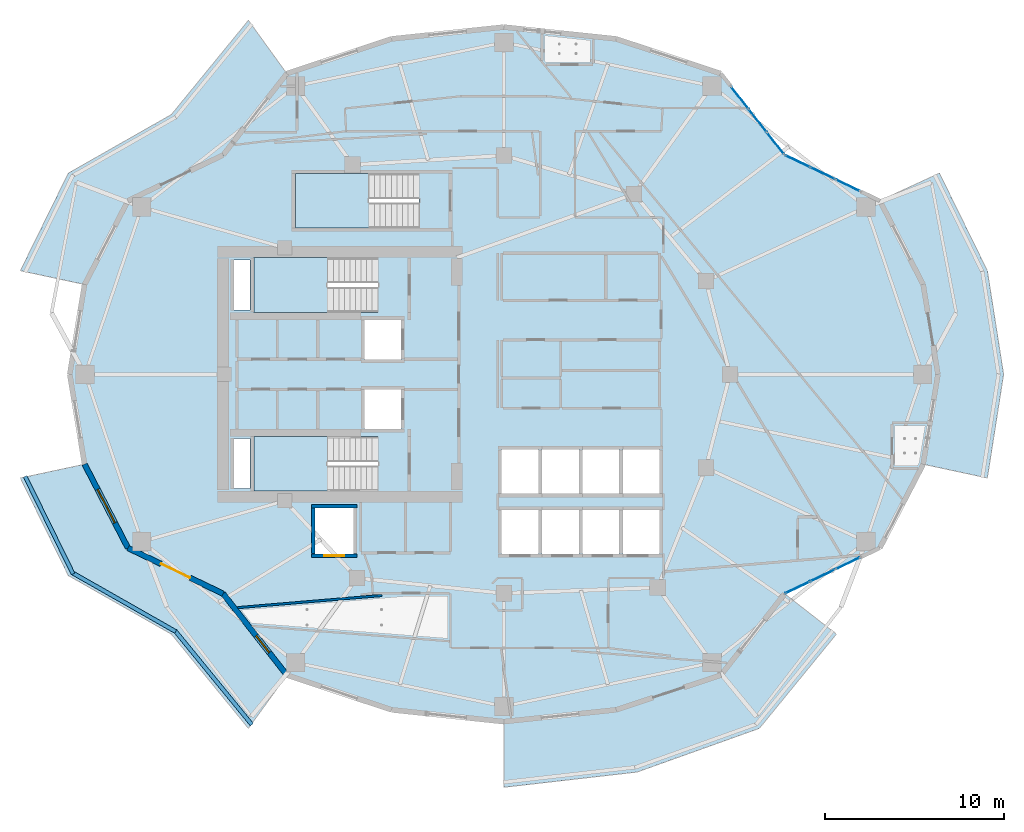
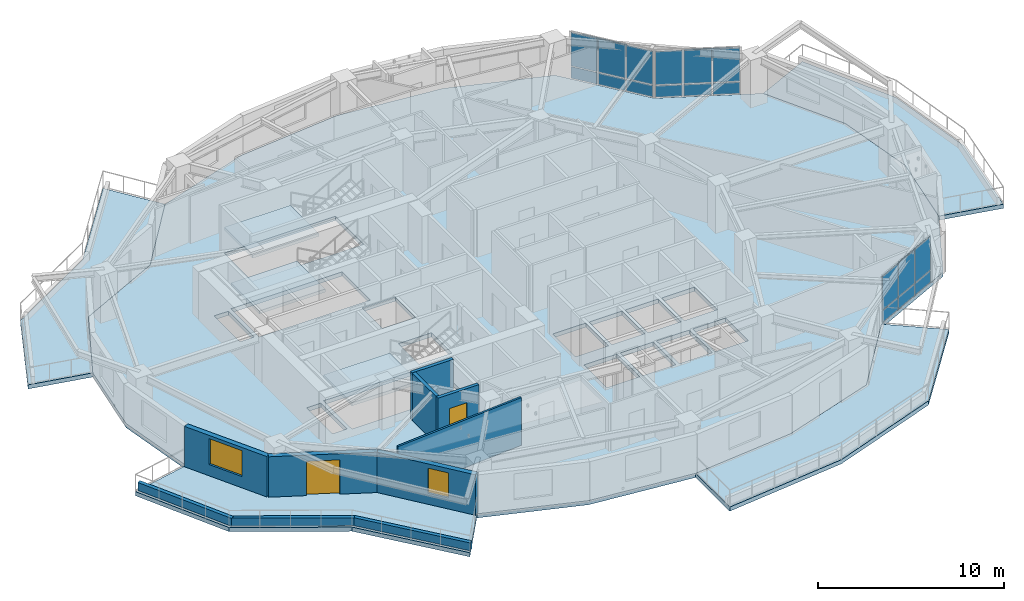
# One storey, part 5 of 18: 21 plates, 10 walls, 8 slabs, 2 doors, 2 windows, 4 openings, 6 elements without a shape of their own.
"""IFC4 building model written with IfcOpenShell, lengths in metres."""

import ifcopenshell
import ifcopenshell.guid

model = None  # the IFC model being written
_history = None  # IfcOwnerHistory: only IFC2X3 demands one
_inside = {}  # id of a spatial element -> (the spatial element, [elements in it])
_under = {}  # id of a project, library or spatial element -> (it, [spatial elements below it])
_declared = {}  # id of a project -> (the project, [libraries it declares])
_typed = {}  # id of a type object -> (the type object, [elements of that type])
_made_of = {}  # id of a material, layer set ... -> (it, [elements and type objects made of it])


def new_model(schema):
    """Start an empty IFC model of exactly this schema.

    Asked for "IFC4X3", IfcOpenShell would pick the latest addendum, in which some entities
    have other attributes; the version numbers below select the first issue.
    IFC2X3 requires an IfcOwnerHistory on every rooted entity: one is made here for all.
    """
    global model, _history
    if schema == "IFC4X3":
        model = ifcopenshell.file(schema_version=(4, 3, 0, 0))
    else:
        model = ifcopenshell.file(schema=schema)
    _inside.clear()
    _under.clear()
    _declared.clear()
    _typed.clear()
    _made_of.clear()
    _history = None
    if model.schema == "IFC2X3":
        org = make("IfcOrganization", Name="unknown")
        user = make(
            "IfcPersonAndOrganization",
            ThePerson=make("IfcPerson", FamilyName="unknown"),
            TheOrganization=org,
        )
        app = make(
            "IfcApplication",
            ApplicationDeveloper=org,
            Version="unknown",
            ApplicationFullName="unknown",
            ApplicationIdentifier="unknown",
        )
        _history = make(
            "IfcOwnerHistory",
            OwningUser=user,
            OwningApplication=app,
            ChangeAction="ADDED",
            CreationDate=0,
        )
    return model


def make(cls, **values):
    """One entity of the class cls with the attributes given. An attribute that is None is left unset."""
    return model.create_entity(
        cls, **{name: value for name, value in values.items() if value is not None}
    )


def rooted(cls, **values):
    """An entity with a GlobalId (a new one), such as an element, a storey or a relation."""
    return make(cls, GlobalId=ifcopenshell.guid.new(), OwnerHistory=_history, **values)


def si_unit(unit_type, name, prefix=None):
    """IfcSIUnit, for example si_unit("LENGTHUNIT", "METRE", prefix="MILLI")."""
    return make("IfcSIUnit", UnitType=unit_type, Prefix=prefix, Name=name)


def assignment(units):
    """IfcUnitAssignment: the units of a project."""
    return None if units is None else make("IfcUnitAssignment", Units=units)


def point(xyz):
    """IfcCartesianPoint."""
    return None if xyz is None else make("IfcCartesianPoint", Coordinates=xyz)


def direction(xyz):
    """IfcDirection."""
    return None if xyz is None else make("IfcDirection", DirectionRatios=xyz)


def frame(location, z_axis=None, x_axis=None):
    """IfcAxis2Placement3D, a coordinate frame: its origin and axes. An axis left out is left unset."""
    return make(
        "IfcAxis2Placement3D",
        Location=point(location),
        Axis=direction(z_axis),
        RefDirection=direction(x_axis),
    )


def frame_2d(location, x_axis=None):
    """IfcAxis2Placement2D, a coordinate frame in the plane: its origin and x axis."""
    return make(
        "IfcAxis2Placement2D", Location=point(location), RefDirection=direction(x_axis)
    )


def origin():
    """The frame at (0, 0, 0) with its axes left unset."""
    return frame((0.0, 0.0, 0.0))


def origin_2d():
    """The frame at (0, 0) in the plane with its x axis left unset."""
    return frame_2d((0.0, 0.0))


def place(relative_to, where):
    """IfcLocalPlacement: puts the frame where relative to a parent placement (None: the world)."""
    return make(
        "IfcLocalPlacement", PlacementRelTo=relative_to, RelativePlacement=where
    )


def context(
    kind, dimensions, precision=None, world=None, true_north=None, identifier=None
):
    """IfcGeometricRepresentationContext, for example the 3D "Model" context."""
    return make(
        "IfcGeometricRepresentationContext",
        ContextIdentifier=identifier,
        ContextType=kind,
        CoordinateSpaceDimension=dimensions,
        Precision=precision,
        WorldCoordinateSystem=world,
        TrueNorth=true_north,
    )


def subcontext(parent, identifier, kind, view, scale=None):
    """IfcGeometricRepresentationSubContext, for example "Body" below "Model"."""
    return make(
        "IfcGeometricRepresentationSubContext",
        ContextIdentifier=identifier,
        ContextType=kind,
        ParentContext=parent,
        TargetScale=scale,
        TargetView=view,
    )


def project(units=None, contexts=None):
    """IfcProject with its units and contexts."""
    return rooted(
        "IfcProject",
        Name="project",
        RepresentationContexts=contexts,
        UnitsInContext=assignment(units),
    )


def spatial(cls, under=None, at=None, **own):
    """A site, building, storey or space (cls), placed at a placement, below another one or the project."""
    s = rooted(cls, ObjectPlacement=at, **own)
    if under is not None:
        _under.setdefault(under.id(), (under, []))[1].append(s)
    return s


def polyline(points):
    """IfcPolyline through the points."""
    return make("IfcPolyline", Points=[point(p) for p in points])


def profile(cls, at=None, kind="AREA", **sizes):
    """A parametric profile (cls). Its sizes go by their IFC names, for example OverallWidth=200.0."""
    return make(cls, ProfileType=kind, Position=at, **sizes)


def rectangle(**sizes):
    """IfcRectangleProfileDef."""
    return profile("IfcRectangleProfileDef", **sizes)


def outline(outer, holes=None, kind="AREA"):
    """IfcArbitraryClosedProfileDef: a profile drawn as a closed curve; with holes, ...WithVoids."""
    if holes is None:
        return make("IfcArbitraryClosedProfileDef", ProfileType=kind, OuterCurve=outer)
    return make(
        "IfcArbitraryProfileDefWithVoids",
        ProfileType=kind,
        OuterCurve=outer,
        InnerCurves=holes,
    )


def extrude(swept, where, along, depth):
    """IfcExtrudedAreaSolid: the profile swept, set in the frame where, extruded along a direction by depth."""
    return make(
        "IfcExtrudedAreaSolid",
        SweptArea=swept,
        Position=where,
        ExtrudedDirection=direction(along),
        Depth=depth,
    )


def shape(context_of_items, identifier, shape_type, items):
    """IfcShapeRepresentation: the items that make up one representation, for example the "Body"."""
    return make(
        "IfcShapeRepresentation",
        ContextOfItems=context_of_items,
        RepresentationIdentifier=identifier,
        RepresentationType=shape_type,
        Items=items,
    )


def material(Name=None, Category=None):
    """IfcMaterial."""
    return make("IfcMaterial", Name=Name, Category=Category)


def layer(
    of_material, thickness, ventilated=None, Name=None, Category=None, Priority=None
):
    """IfcMaterialLayer: one layer of a wall or slab, of a material (None: an air gap)."""
    return make(
        "IfcMaterialLayer",
        Material=of_material,
        LayerThickness=thickness,
        IsVentilated=ventilated,
        Name=Name,
        Category=Category,
        Priority=Priority,
    )


def layer_set(layers, Name=None):
    """IfcMaterialLayerSet."""
    return make("IfcMaterialLayerSet", MaterialLayers=layers, LayerSetName=Name)


def made_of(thing, what):
    """Note that an element or type object is made of a material, layer set ...; save() writes the relation."""
    if what is not None:
        _made_of.setdefault(what.id(), (what, []))[1].append(thing)
    return thing


def type_object(cls, material=None, **own):
    """A type object (cls), such as IfcWallType, which elements share."""
    return made_of(rooted(cls, **own), material)


def element(
    cls,
    number,
    at=None,
    inside=None,
    cuts=None,
    type_object=None,
    material=None,
    context=None,
    identifier="Body",
    shape_type=None,
    held_by="IfcProductDefinitionShape",
    body=None,
    shapes=None,
    **own,
):
    """One element of the class cls, such as IfcWall. Its Tag is "e" and its number.

    at: its placement. inside: the storey or other place that contains it. cuts: it is an
    opening in that element (IfcRelVoidsElement). A single representation is given by context,
    identifier, shape_type and body (its items); several are given by shapes. held_by: the class
    of the entity that holds the representations. save() writes the other relations.
    """
    e = rooted(cls, Tag="e%d" % number, ObjectPlacement=at, **own)
    if body is not None:
        shapes = [shape(context, identifier, shape_type, body)]
    if shapes is not None:
        e.Representation = make(held_by, Representations=shapes)
    if inside is not None:
        _inside.setdefault(inside.id(), (inside, []))[1].append(e)
    if cuts is not None:
        rooted(
            "IfcRelVoidsElement", RelatingBuildingElement=cuts, RelatedOpeningElement=e
        )
    if type_object is not None:
        _typed.setdefault(type_object.id(), (type_object, []))[1].append(e)
    return made_of(e, material)


def fill(opening, filler):
    """IfcRelFillsElement: the door or window that sits in an opening."""
    return rooted(
        "IfcRelFillsElement",
        RelatingOpeningElement=opening,
        RelatedBuildingElement=filler,
    )


def aggregate(whole, parts):
    """IfcRelAggregates: a whole, such as a stair, and the parts it consists of."""
    return rooted("IfcRelAggregates", RelatingObject=whole, RelatedObjects=parts)


def save(model, path):
    """Write the relations noted so far, then the file.

    IfcRelAggregates (storeys below a building ...), IfcRelContainedInSpatialStructure (elements
    in a storey), IfcRelDefinesByType, IfcRelAssociatesMaterial and IfcRelDeclares: one each for
    every whole, place, type object, material and project.
    """
    for whole, parts in _under.values():
        aggregate(whole, parts)
    for where, things in _inside.values():
        rooted(
            "IfcRelContainedInSpatialStructure",
            RelatedElements=things,
            RelatingStructure=where,
        )
    for kind, things in _typed.values():
        rooted("IfcRelDefinesByType", RelatedObjects=things, RelatingType=kind)
    for what, things in _made_of.values():
        rooted("IfcRelAssociatesMaterial", RelatedObjects=things, RelatingMaterial=what)
    for by, libraries in _declared.values():
        rooted("IfcRelDeclares", RelatingContext=by, RelatedDefinitions=libraries)
    model.write(path)


model = new_model("IFC4")

# Units and contexts
model_context = context("Model", 3, precision=1e-05, world=origin(), true_north=direction((0.0, 1.0)))
body_context = subcontext(model_context, "Body", "Model", "MODEL_VIEW")
ifc_project = project(units=[si_unit("LENGTHUNIT", "METRE"), si_unit("AREAUNIT", "SQUARE_METRE"), si_unit("VOLUMEUNIT", "CUBIC_METRE"), si_unit("PLANEANGLEUNIT", "RADIAN"), si_unit("MASSUNIT", "GRAM", prefix="KILO")], contexts=[model_context])

# Site, building, storey
site_placement = place(None, origin())
site = spatial("IfcSite", under=ifc_project, at=site_placement, CompositionType="ELEMENT")
building_placement = place(site_placement, origin())
building = spatial("IfcBuilding", under=site, at=building_placement, Name="Kolvaren Gate Tower and Convention Centre", CompositionType="ELEMENT")
storey_placement = place(building_placement, frame((0.0, 0.0, 135.89990234375)))
storey = spatial("IfcBuildingStorey", under=building, at=storey_placement, Name="L34", CompositionType="ELEMENT", Elevation=135.89990234375)

# Plates
ifc_material_1 = material(Name="Perforated Anodized Bronze Aluminium Sheet 6 mm", Category="aluminium")
ifc_layer_1 = layer(ifc_material_1, 0.011962890625)
ifc_layer_set_1 = layer_set([ifc_layer_1], Name="Perforated Anodized Bronze Aluminium Sheet 6 mm")
plate_type_1 = type_object("IfcPlateType", Name="ARCH-PL-SCREEN-PERF", PredefinedType="SHEET", material=ifc_layer_set_1)
for number, where, z_axis, x_axis, name in (
    (1, (48.42041015625, 37.948974609375, 2.2900390625), (0.0, 0.0, 1.0), (0.901362925045, -0.433064518696, 0.0), "Tower L34 Perforated Bronze Solar Screen SS-02"),
    (2, (43.993896484375, 41.490234375, 2.2900390625), (0.0, 0.0, 1.0), (0.616424499081, -0.787414018756, 0.0), "Tower L34 Perforated Bronze Solar Screen SS-03"),
    (3, (48.42041015625, 16.051025390625, 2.2900390625), (0.0, 0.0, 1.0), (0.901362925045, 0.433064518696, 0.0), "Tower L34 Perforated Bronze Solar Screen SS-21"),
):
    element("IfcPlate", number, at=place(storey_placement, frame(where, z_axis=z_axis, x_axis=x_axis)), inside=storey, type_object=plate_type_1, Name=name, PredefinedType="SHEET", context=body_context, shape_type="SweptSolid", body=[
        extrude(rectangle(XDim=2.60009765625, YDim=0.011962890625, at=origin_2d()), origin(), (0.0, 0.0, 1.0), 0.840087890625),
    ])

# Curtain wall, plates
ifc_material_2 = material(Name="Anodized Architectural Aluminium Alloy 6063-T6", Category="aluminium")
ifc_layer_2 = layer(ifc_material_2, 0.159912109375)
ifc_layer_set_2 = layer_set([ifc_layer_2], Name="Anodized Architectural Aluminium Alloy 6063-T6")
curtain_wall_type = type_object("IfcCurtainWallType", Name="CW-HTL-UNIT", PredefinedType="NOTDEFINED", material=ifc_layer_set_2)
curtain_wall_1_placement = place(storey_placement, origin())
curtain_wall_1 = element("IfcCurtainWall", 4, at=curtain_wall_1_placement, inside=storey, type_object=curtain_wall_type, Name="Tower L34 Unitised Curtain Wall CW-HTL-UNIT Bay 02", PredefinedType="NOTDEFINED")
ifc_material_3 = material(Name="Low-E Triple Insulated Glazing Unit 44 mm", Category="glass")
ifc_layer_3 = layer(ifc_material_3, 0.0439453125)
ifc_layer_set_3 = layer_set([ifc_layer_3], Name="Low-E Triple Insulated Glazing Unit 44 mm")
plate_type_2 = type_object("IfcPlateType", Name="CW-PL-IGU-44", PredefinedType="CURTAIN_PANEL", material=ifc_layer_set_3)
plate_1_placement = place(storey_placement, frame((46.48974609375, 38.87646484375, 0.882568359375), z_axis=(0.0, 0.0, 1.0), x_axis=(0.901360043967, -0.433070515205, 0.0)))
plate_1 = element("IfcPlate", 5, at=plate_1_placement, type_object=plate_type_2, Name="CW-03 panel 1.2", PredefinedType="CURTAIN_PANEL", context=body_context, shape_type="SweptSolid", body=[
    extrude(rectangle(XDim=1.4697265625, YDim=0.0439453125, at=origin_2d()), origin(), (0.0, 0.0, 1.0), 2.1826171875),
])
plate_2_placement = place(storey_placement, frame((47.8876953125, 38.204833984375, 0.882568359375), z_axis=(0.0, 0.0, 1.0), x_axis=(0.901360043967, -0.433070515205, 0.0)))
plate_2 = element("IfcPlate", 6, at=plate_2_placement, type_object=plate_type_2, Name="CW-03 panel 2.2", PredefinedType="CURTAIN_PANEL", context=body_context, shape_type="SweptSolid", body=[
    extrude(rectangle(XDim=1.50244140625, YDim=0.0439453125, at=origin_2d()), origin(), (0.0, 0.0, 1.0), 2.1826171875),
])
plate_3_placement = place(storey_placement, frame((49.285888671875, 37.533203125, 0.882568359375), z_axis=(0.0, 0.0, 1.0), x_axis=(0.901360043967, -0.433070515205, 0.0)))
plate_3 = element("IfcPlate", 7, at=plate_3_placement, type_object=plate_type_2, Name="CW-03 panel 3.2", PredefinedType="CURTAIN_PANEL", context=body_context, shape_type="SweptSolid", body=[
    extrude(rectangle(XDim=1.4697265625, YDim=0.0439453125, at=origin_2d()), origin(), (0.0, 0.0, 1.0), 2.1826171875),
])

curtain_wall_2_placement = place(storey_placement, origin())
curtain_wall_2 = element("IfcCurtainWall", 8, at=curtain_wall_2_placement, inside=storey, type_object=curtain_wall_type, Name="Tower L34 Unitised Curtain Wall CW-HTL-UNIT Bay 03", PredefinedType="NOTDEFINED")
plate_4_placement = place(storey_placement, frame((43.2705078125, 42.414306640625, 0.882568359375), z_axis=(0.0, 0.0, 1.0), x_axis=(0.616425876414, -0.787412940513, 0.0)))
plate_4 = element("IfcPlate", 9, at=plate_4_placement, type_object=plate_type_2, Name="CW-03 panel 1.2", PredefinedType="CURTAIN_PANEL", context=body_context, shape_type="SweptSolid", body=[
    extrude(rectangle(XDim=1.530029296875, YDim=0.0439453125, at=origin_2d()), origin(), (0.0, 0.0, 1.0), 2.1826171875),
])
plate_5_placement = place(storey_placement, frame((44.263671875, 41.1455078125, 0.882568359375), z_axis=(0.0, 0.0, 1.0), x_axis=(0.616425876414, -0.787412940513, 0.0)))
plate_5 = element("IfcPlate", 10, at=plate_5_placement, type_object=plate_type_2, Name="CW-03 panel 2.2", PredefinedType="CURTAIN_PANEL", context=body_context, shape_type="SweptSolid", body=[
    extrude(rectangle(XDim=1.5625, YDim=0.0439453125, at=origin_2d()), origin(), (0.0, 0.0, 1.0), 2.1826171875),
])
plate_6_placement = place(storey_placement, frame((45.257080078125, 39.876708984375, 0.882568359375), z_axis=(0.0, 0.0, 1.0), x_axis=(0.616425876414, -0.787412940513, 0.0)))
plate_6 = element("IfcPlate", 11, at=plate_6_placement, type_object=plate_type_2, Name="CW-03 panel 3.2", PredefinedType="CURTAIN_PANEL", context=body_context, shape_type="SweptSolid", body=[
    extrude(rectangle(XDim=1.530029296875, YDim=0.0439453125, at=origin_2d()), origin(), (0.0, 0.0, 1.0), 2.1826171875),
])

curtain_wall_3_placement = place(storey_placement, origin())
curtain_wall_3 = element("IfcCurtainWall", 12, at=curtain_wall_3_placement, inside=storey, type_object=curtain_wall_type, Name="Tower L34 Unitised Curtain Wall CW-HTL-UNIT Bay 21", PredefinedType="NOTDEFINED")
plate_7_placement = place(storey_placement, frame((46.48974609375, 15.12353515625, 0.882568359375), z_axis=(0.0, 0.0, 1.0), x_axis=(0.901360043967, 0.433070515205, 0.0)))
plate_7 = element("IfcPlate", 13, at=plate_7_placement, type_object=plate_type_2, Name="CW-03 panel 1.2", PredefinedType="CURTAIN_PANEL", context=body_context, shape_type="SweptSolid", body=[
    extrude(rectangle(XDim=1.4697265625, YDim=0.0439453125, at=origin_2d()), origin(), (0.0, 0.0, 1.0), 2.1826171875),
])
plate_8_placement = place(storey_placement, frame((47.8876953125, 15.795166015625, 0.882568359375), z_axis=(0.0, 0.0, 1.0), x_axis=(0.901360043967, 0.433070515205, 0.0)))
plate_8 = element("IfcPlate", 14, at=plate_8_placement, type_object=plate_type_2, Name="CW-03 panel 2.2", PredefinedType="CURTAIN_PANEL", context=body_context, shape_type="SweptSolid", body=[
    extrude(rectangle(XDim=1.50244140625, YDim=0.0439453125, at=origin_2d()), origin(), (0.0, 0.0, 1.0), 2.1826171875),
])
plate_9_placement = place(storey_placement, frame((49.285888671875, 16.466796875, 0.882568359375), z_axis=(0.0, 0.0, 1.0), x_axis=(0.901360043967, 0.433070515205, 0.0)))
plate_9 = element("IfcPlate", 15, at=plate_9_placement, type_object=plate_type_2, Name="CW-03 panel 3.2", PredefinedType="CURTAIN_PANEL", context=body_context, shape_type="SweptSolid", body=[
    extrude(rectangle(XDim=1.4697265625, YDim=0.0439453125, at=origin_2d()), origin(), (0.0, 0.0, 1.0), 2.1826171875),
])

# Plate
ifc_material_4 = material(Name="Solar-Control Laminated Curtain Glazing 36 mm", Category="glass")
ifc_layer_4 = layer(ifc_material_4, 0.035888671875)
ifc_layer_set_4 = layer_set([ifc_layer_4], Name="Solar-Control Laminated Curtain Glazing 36 mm")
plate_type_3 = type_object("IfcPlateType", Name="CW-PL-SPAN-36", PredefinedType="CURTAIN_PANEL", material=ifc_layer_set_4)
plate_10_placement = place(storey_placement, frame((46.48974609375, 38.87646484375, 0.065185546875), z_axis=(0.0, 0.0, 1.0), x_axis=(0.901360043967, -0.433070515205, 0.0)))
plate_10 = element("IfcPlate", 16, at=plate_10_placement, type_object=plate_type_3, Name="CW-03 panel 1.1", PredefinedType="CURTAIN_PANEL", context=body_context, shape_type="SweptSolid", body=[
    extrude(rectangle(XDim=1.4697265625, YDim=0.035888671875, at=origin_2d()), origin(), (0.0, 0.0, 1.0), 0.75244140625),
])

plate_11_placement = place(storey_placement, frame((47.8876953125, 38.204833984375, 0.065185546875), z_axis=(0.0, 0.0, 1.0), x_axis=(0.901360043967, -0.433070515205, 0.0)))
plate_11 = element("IfcPlate", 17, at=plate_11_placement, type_object=plate_type_3, Name="CW-03 panel 2.1", PredefinedType="CURTAIN_PANEL", context=body_context, shape_type="SweptSolid", body=[
    extrude(rectangle(XDim=1.50244140625, YDim=0.035888671875, at=origin_2d()), origin(), (0.0, 0.0, 1.0), 0.75244140625),
])

plate_12_placement = place(storey_placement, frame((49.285888671875, 37.533203125, 0.065185546875), z_axis=(0.0, 0.0, 1.0), x_axis=(0.901360043967, -0.433070515205, 0.0)))
plate_12 = element("IfcPlate", 18, at=plate_12_placement, type_object=plate_type_3, Name="CW-03 panel 3.1", PredefinedType="CURTAIN_PANEL", context=body_context, shape_type="SweptSolid", body=[
    extrude(rectangle(XDim=1.4697265625, YDim=0.035888671875, at=origin_2d()), origin(), (0.0, 0.0, 1.0), 0.75244140625),
])

aggregate(curtain_wall_1, [plate_10, plate_1, plate_11, plate_2, plate_12, plate_3])

plate_13_placement = place(storey_placement, frame((43.2705078125, 42.414306640625, 0.065185546875), z_axis=(0.0, 0.0, 1.0), x_axis=(0.616425876414, -0.787412940513, 0.0)))
plate_13 = element("IfcPlate", 19, at=plate_13_placement, type_object=plate_type_3, Name="CW-03 panel 1.1", PredefinedType="CURTAIN_PANEL", context=body_context, shape_type="SweptSolid", body=[
    extrude(rectangle(XDim=1.530029296875, YDim=0.035888671875, at=origin_2d()), origin(), (0.0, 0.0, 1.0), 0.75244140625),
])

plate_14_placement = place(storey_placement, frame((44.263671875, 41.1455078125, 0.065185546875), z_axis=(0.0, 0.0, 1.0), x_axis=(0.616425876414, -0.787412940513, 0.0)))
plate_14 = element("IfcPlate", 20, at=plate_14_placement, type_object=plate_type_3, Name="CW-03 panel 2.1", PredefinedType="CURTAIN_PANEL", context=body_context, shape_type="SweptSolid", body=[
    extrude(rectangle(XDim=1.5625, YDim=0.035888671875, at=origin_2d()), origin(), (0.0, 0.0, 1.0), 0.75244140625),
])

plate_15_placement = place(storey_placement, frame((45.257080078125, 39.876708984375, 0.065185546875), z_axis=(0.0, 0.0, 1.0), x_axis=(0.616425876414, -0.787412940513, 0.0)))
plate_15 = element("IfcPlate", 21, at=plate_15_placement, type_object=plate_type_3, Name="CW-03 panel 3.1", PredefinedType="CURTAIN_PANEL", context=body_context, shape_type="SweptSolid", body=[
    extrude(rectangle(XDim=1.530029296875, YDim=0.035888671875, at=origin_2d()), origin(), (0.0, 0.0, 1.0), 0.75244140625),
])

aggregate(curtain_wall_2, [plate_13, plate_4, plate_14, plate_5, plate_15, plate_6])

plate_16_placement = place(storey_placement, frame((46.48974609375, 15.12353515625, 0.065185546875), z_axis=(0.0, 0.0, 1.0), x_axis=(0.901360043967, 0.433070515205, 0.0)))
plate_16 = element("IfcPlate", 22, at=plate_16_placement, type_object=plate_type_3, Name="CW-03 panel 1.1", PredefinedType="CURTAIN_PANEL", context=body_context, shape_type="SweptSolid", body=[
    extrude(rectangle(XDim=1.4697265625, YDim=0.035888671875, at=origin_2d()), origin(), (0.0, 0.0, 1.0), 0.75244140625),
])

plate_17_placement = place(storey_placement, frame((47.8876953125, 15.795166015625, 0.065185546875), z_axis=(0.0, 0.0, 1.0), x_axis=(0.901360043967, 0.433070515205, 0.0)))
plate_17 = element("IfcPlate", 23, at=plate_17_placement, type_object=plate_type_3, Name="CW-03 panel 2.1", PredefinedType="CURTAIN_PANEL", context=body_context, shape_type="SweptSolid", body=[
    extrude(rectangle(XDim=1.50244140625, YDim=0.035888671875, at=origin_2d()), origin(), (0.0, 0.0, 1.0), 0.75244140625),
])

plate_18_placement = place(storey_placement, frame((49.285888671875, 16.466796875, 0.065185546875), z_axis=(0.0, 0.0, 1.0), x_axis=(0.901360043967, 0.433070515205, 0.0)))
plate_18 = element("IfcPlate", 24, at=plate_18_placement, type_object=plate_type_3, Name="CW-03 panel 3.1", PredefinedType="CURTAIN_PANEL", context=body_context, shape_type="SweptSolid", body=[
    extrude(rectangle(XDim=1.4697265625, YDim=0.035888671875, at=origin_2d()), origin(), (0.0, 0.0, 1.0), 0.75244140625),
])

aggregate(curtain_wall_3, [plate_16, plate_7, plate_17, plate_8, plate_18, plate_9])

# Slabs
ifc_material_5 = material(Name="Concrete C50/60", Category="concrete")
ifc_layer_5 = layer(ifc_material_5, 0.27001953125)
ifc_layer_set_5 = layer_set([ifc_layer_5], Name="Concrete C50/60")
slab_type_1 = type_object("IfcSlabType", Name="STR-SL-BALC-270", PredefinedType="FLOOR", material=ifc_layer_set_5)
slab_1_placement = place(storey_placement, frame((0.0, 0.0, -0.27001953125)))
element("IfcSlab", 25, at=slab_1_placement, inside=storey, type_object=slab_type_1, Name="Tower L34 Planted Balcony Terrace Slab 1 (West)", PredefinedType="FLOOR", context=body_context, shape_type="SweptSolid", body=[
    extrude(outline(polyline([(18.03125, 43.757568359375), (14.481201171875, 39.222900390625), (9.177978515625, 36.675048828125), (6.76171875, 32.008056640625), (3.18310546875, 32.775146484375), (5.855224609375, 38.209716796875), (11.597412109375, 41.476318359375), (15.889404296875, 46.725341796875), (18.03125, 43.757568359375)])), origin(), (0.0, 0.0, 1.0), 0.27001953125),
])
slab_2_placement = place(storey_placement, frame((0.0, 0.0, -0.27001953125)))
element("IfcSlab", 26, at=slab_2_placement, inside=storey, type_object=slab_type_1, Name="Tower L34 Planted Balcony Terrace Slab 2 (West)", PredefinedType="FLOOR", context=body_context, shape_type="SweptSolid", body=[
    extrude(outline(polyline([(6.76171875, 21.991943359375), (9.177978515625, 17.324951171875), (14.481201171875, 14.777099609375), (18.03125, 10.242431640625), (15.889404296875, 7.274658203125), (11.597412109375, 12.523681640625), (5.855224609375, 15.790283203125), (3.18310546875, 21.224853515625), (6.76171875, 21.991943359375)])), origin(), (0.0, 0.0, 1.0), 0.27001953125),
])
slab_3_placement = place(storey_placement, frame((0.0, 0.0, -0.27001953125)))
element("IfcSlab", 27, at=slab_3_placement, inside=storey, type_object=slab_type_1, Name="Tower L34 Planted Balcony Terrace Slab 3 (South)", PredefinedType="FLOOR", context=body_context, shape_type="SweptSolid", body=[
    extrude(outline(polyline([(30.125, 7.64990234375), (36.38525390625, 8.309326171875), (42.21875, 10.242431640625), (45.768798828125, 14.777099609375), (48.652587890625, 12.523681640625), (44.360595703125, 7.274658203125), (37.547607421875, 4.8388671875), (30.125, 3.989990234375), (30.125, 7.64990234375)])), origin(), (0.0, 0.0, 1.0), 0.27001953125),
])
slab_4_placement = place(storey_placement, frame((0.0, 0.0, -0.27001953125)))
element("IfcSlab", 28, at=slab_4_placement, inside=storey, type_object=slab_type_1, Name="Tower L34 Planted Balcony Terrace Slab 4 (East)", PredefinedType="FLOOR", context=body_context, shape_type="SweptSolid", body=[
    extrude(outline(polyline([(53.48828125, 21.991943359375), (54.3125, 27.0), (53.48828125, 32.008056640625), (51.072021484375, 36.675048828125), (54.394775390625, 38.209716796875), (57.06689453125, 32.775146484375), (57.972412109375, 27.0), (57.06689453125, 21.224853515625), (53.48828125, 21.991943359375)])), origin(), (0.0, 0.0, 1.0), 0.27001953125),
])
ifc_material_6 = material(Name="Concrete C40/50", Category="concrete")
ifc_layer_6 = layer(ifc_material_6, 0.27001953125)
ifc_layer_set_6 = layer_set([ifc_layer_6], Name="Concrete C40/50")
slab_type_2 = type_object("IfcSlabType", Name="STR-SL-FLR-270", PredefinedType="FLOOR", material=ifc_layer_set_6)
slab_5_placement = place(storey_placement, frame((0.0, 0.0, -0.27001953125)))
element("IfcSlab", 29, at=slab_5_placement, inside=storey, type_object=slab_type_2, Name="Tower L34 Structural Floor Slab", PredefinedType="FLOOR", context=body_context, shape_type="SweptSolid", body=[
    extrude(outline(polyline([(54.3125, 27.0), (53.48828125, 32.008056640625), (51.072021484375, 36.675048828125), (45.768798828125, 39.222900390625), (42.21875, 43.757568359375), (36.38525390625, 45.690673828125), (30.125, 46.35009765625), (23.86474609375, 45.690673828125), (18.03125, 43.757568359375), (14.481201171875, 39.222900390625), (9.177978515625, 36.675048828125), (6.76171875, 32.008056640625), (5.9375, 27.0), (6.76171875, 21.991943359375), (9.177978515625, 17.324951171875), (14.481201171875, 14.777099609375), (18.03125, 10.242431640625), (23.86474609375, 8.309326171875), (30.125, 7.64990234375), (36.38525390625, 8.309326171875), (42.21875, 10.242431640625), (45.768798828125, 14.777099609375), (51.072021484375, 17.324951171875), (53.48828125, 21.991943359375), (54.3125, 27.0)]), holes=[polyline([(36.75, 17.0), (36.75, 19.449951171875), (38.800048828125, 19.449951171875), (38.800048828125, 17.0), (36.75, 17.0)]), polyline([(36.75, 20.35009765625), (36.75, 22.800048828125), (38.800048828125, 22.800048828125), (38.800048828125, 20.35009765625), (36.75, 20.35009765625)]), polyline([(34.5, 17.0), (34.5, 19.449951171875), (36.550048828125, 19.449951171875), (36.550048828125, 17.0), (34.5, 17.0)]), polyline([(34.5, 20.35009765625), (34.5, 22.800048828125), (36.550048828125, 22.800048828125), (36.550048828125, 20.35009765625), (34.5, 20.35009765625)]), polyline([(32.25, 17.0), (32.25, 19.449951171875), (34.300048828125, 19.449951171875), (34.300048828125, 17.0), (32.25, 17.0)]), polyline([(32.25, 20.35009765625), (32.25, 22.800048828125), (34.300048828125, 22.800048828125), (34.300048828125, 20.35009765625), (32.25, 20.35009765625)]), polyline([(30.0, 17.0), (30.0, 19.449951171875), (32.050048828125, 19.449951171875), (32.050048828125, 17.0), (30.0, 17.0)]), polyline([(30.0, 20.35009765625), (30.0, 22.800048828125), (32.050048828125, 22.800048828125), (32.050048828125, 20.35009765625), (30.0, 20.35009765625)]), polyline([(25.39990234375, 38.199951171875), (25.39990234375, 35.159912109375), (18.5, 35.159912109375), (18.5, 38.199951171875), (25.39990234375, 38.199951171875)]), polyline([(22.35009765625, 23.9599609375), (22.35009765625, 26.159912109375), (24.39990234375, 26.159912109375), (24.39990234375, 23.9599609375), (22.35009765625, 23.9599609375)]), polyline([(22.35009765625, 27.840087890625), (22.35009765625, 30.0400390625), (24.39990234375, 30.0400390625), (24.39990234375, 27.840087890625), (22.35009765625, 27.840087890625)]), polyline([(23.10009765625, 23.5400390625), (23.10009765625, 20.5), (16.199951171875, 20.5), (16.199951171875, 23.5400390625), (23.10009765625, 23.5400390625)]), polyline([(23.10009765625, 33.5), (23.10009765625, 30.4599609375), (16.199951171875, 30.4599609375), (16.199951171875, 33.5), (23.10009765625, 33.5)]), polyline([(19.60009765625, 17.0), (19.60009765625, 19.550048828125), (21.75, 19.550048828125), (21.75, 17.0), (19.60009765625, 17.0)]), polyline([(15.080078125, 20.6298828125), (15.080078125, 23.419921875), (15.969970703125, 23.419921875), (15.969970703125, 20.6298828125), (15.080078125, 20.6298828125)]), polyline([(15.080078125, 30.580078125), (15.080078125, 33.3701171875), (15.969970703125, 33.3701171875), (15.969970703125, 30.580078125), (15.080078125, 30.580078125)])]), origin(), (0.0, 0.0, 1.0), 0.27001953125),
])

# Stair, slab
stair_type = type_object("IfcStairType", Name="STR-STAIR-CORE", PredefinedType="HALF_TURN_STAIR", material=ifc_material_5)
stair_1_placement = place(storey_placement, origin())
stair_1 = element("IfcStair", 30, at=stair_1_placement, inside=storey, type_object=stair_type, Name="L34 Tower North Exit Stair ST-T1", PredefinedType="HALF_TURN_STAIR")
ifc_layer_7 = layer(ifc_material_5, 0.199951171875)
ifc_layer_set_7 = layer_set([ifc_layer_7], Name="Concrete C50/60")
slab_type_3 = type_object("IfcSlabType", Name="STR-SL-LAND-200", PredefinedType="LANDING", material=ifc_layer_set_7)
slab_6_placement = place(storey_placement, frame((0.0, 0.0, 1.5)))
slab_6 = element("IfcSlab", 31, at=slab_6_placement, type_object=slab_type_3, Name="ST-T1 landing 1", PredefinedType="LANDING", context=body_context, shape_type="SweptSolid", body=[
    extrude(outline(polyline([(20.31005859375, 33.5), (16.199951171875, 33.5), (16.199951171875, 30.4599609375), (20.31005859375, 30.4599609375), (20.31005859375, 33.5)])), origin(), (0.0, 0.0, 1.0), 0.2001953125),
])
aggregate(stair_1, [slab_6])

stair_2_placement = place(storey_placement, origin())
stair_2 = element("IfcStair", 32, at=stair_2_placement, inside=storey, type_object=stair_type, Name="L34 Tower South Exit Stair ST-T2", PredefinedType="HALF_TURN_STAIR")
slab_7_placement = place(storey_placement, frame((0.0, 0.0, 1.5)))
slab_7 = element("IfcSlab", 33, at=slab_7_placement, type_object=slab_type_3, Name="ST-T2 landing 1", PredefinedType="LANDING", context=body_context, shape_type="SweptSolid", body=[
    extrude(outline(polyline([(20.31005859375, 23.5400390625), (16.199951171875, 23.5400390625), (16.199951171875, 20.5), (20.31005859375, 20.5), (20.31005859375, 23.5400390625)])), origin(), (0.0, 0.0, 1.0), 0.2001953125),
])
aggregate(stair_2, [slab_7])

stair_3_placement = place(storey_placement, origin())
stair_3 = element("IfcStair", 34, at=stair_3_placement, inside=storey, type_object=stair_type, Name="L34 Tower Mid-Zone Exit Stair ST-T3", PredefinedType="HALF_TURN_STAIR")
slab_8_placement = place(storey_placement, frame((0.0, 0.0, 1.5)))
slab_8 = element("IfcSlab", 35, at=slab_8_placement, type_object=slab_type_3, Name="ST-T3 landing 1", PredefinedType="LANDING", context=body_context, shape_type="SweptSolid", body=[
    extrude(outline(polyline([(22.610107421875, 38.199951171875), (18.5, 38.199951171875), (18.5, 35.159912109375), (22.610107421875, 35.159912109375), (22.610107421875, 38.199951171875)])), origin(), (0.0, 0.0, 1.0), 0.2001953125),
])
aggregate(stair_3, [slab_8])

# Walls
ifc_material_7 = material(Name="Fire-Rated Acoustic Gypsum Stud Partition", Category="gypsum")
ifc_layer_8 = layer(ifc_material_7, 0.1201171875)
ifc_layer_set_8 = layer_set([ifc_layer_8], Name="Fire-Rated Acoustic Gypsum Stud Partition")
wall_type_1 = type_object("IfcWallType", Name="ARCH-WL-PART-120", PredefinedType="PARTITIONING", material=ifc_layer_set_8)
wall_1_placement = place(storey_placement, frame((15.282470703125, 14.000244140625, 0.0), z_axis=(0.0, 0.0, 1.0), x_axis=(0.996466219822, 0.083994480498, 0.0)))
element("IfcWall", 36, at=wall_1_placement, inside=storey, type_object=wall_type_1, Name="Interior Partition WL-L34-INT-060", PredefinedType="PARTITIONING", context=body_context, shape_type="SweptSolid", body=[
    extrude(rectangle(XDim=8.06884765625, YDim=0.1201171875, at=frame_2d((4.034423828125, 0.0))), origin(), (0.0, 0.0, 1.0), 3.130126953125),
])
ifc_material_8 = material(Name="Piedmont Cream Honed Limestone Cladding", Category="masonry")
ifc_layer_9 = layer(ifc_material_8, 0.219970703125)
ifc_layer_set_9 = layer_set([ifc_layer_9], Name="Piedmont Cream Honed Limestone Cladding")
wall_type_2 = type_object("IfcWallType", Name="ARCH-WL-PLANTER-220", PredefinedType="PARAPET", material=ifc_layer_set_9)
wall_2_placement = place(storey_placement, frame((3.44873046875, 21.31298828125, 0.0), z_axis=(0.0, 0.0, 1.0), x_axis=(0.441269631716, -0.897374566235, 0.0)))
element("IfcWall", 37, at=wall_2_placement, inside=storey, type_object=wall_type_2, Name="Vertical-Forest Balcony Stone Planter Kerb PK-L34-2.1", PredefinedType="PARAPET", context=body_context, shape_type="SweptSolid", body=[
    extrude(rectangle(XDim=6.05615234375, YDim=0.219970703125, at=frame_2d((3.028076171875, 0.0))), origin(), (0.0, 0.0, 1.0), 0.52001953125),
])
wall_3_placement = place(storey_placement, frame((6.095458984375, 15.934326171875, 0.0), z_axis=(0.0, 0.0, 1.0), x_axis=(0.869187658335, -0.494482370361, 0.0)))
element("IfcWall", 38, at=wall_3_placement, inside=storey, type_object=wall_type_2, Name="Vertical-Forest Balcony Stone Planter Kerb PK-L34-2.2", PredefinedType="PARAPET", context=body_context, shape_type="SweptSolid", body=[
    extrude(rectangle(XDim=6.606201171875, YDim=0.219970703125, at=frame_2d((3.30322265625, 0.0))), origin(), (0.0, 0.0, 1.0), 0.52001953125),
])
wall_4_placement = place(storey_placement, frame((11.791015625, 12.725830078125, 0.0), z_axis=(0.0, 0.0, 1.0), x_axis=(0.633002467947, -0.77414977593, 0.0)))
element("IfcWall", 39, at=wall_4_placement, inside=storey, type_object=wall_type_2, Name="Vertical-Forest Balcony Stone Planter Kerb PK-L34-2.3", PredefinedType="PARAPET", context=body_context, shape_type="SweptSolid", body=[
    extrude(rectangle(XDim=6.7802734375, YDim=0.219970703125, at=frame_2d((3.39013671875, 0.0))), origin(), (0.0, 0.0, 1.0), 0.52001953125),
])
ifc_material_9 = material(Name="Autoclaved Aerated Masonry Blockwork Class 4 (4.0 MPa)", Category="masonry")
ifc_layer_10 = layer(ifc_material_9, 0.199951171875)
ifc_layer_set_10 = layer_set([ifc_layer_10], Name="Autoclaved Aerated Masonry Blockwork Class 4 (4.0 MPa)")
wall_type_3 = type_object("IfcWallType", Name="ARCH-WL-SHAFT-200", PredefinedType="SOLIDWALL", material=ifc_layer_set_10)
wall_5_placement = place(storey_placement, frame((19.39990234375, 19.64990234375, 0.0), z_axis=(0.0, 0.0, 1.0), x_axis=(1.0, 0.0, 0.0)))
element("IfcWall", 40, at=wall_5_placement, inside=storey, type_object=wall_type_3, Name="Elevator SV-01 L34 Fire Shaft Wall N", PredefinedType="SOLIDWALL", context=body_context, shape_type="SweptSolid", body=[
    extrude(rectangle(XDim=2.550048828125, YDim=0.199951171875, at=frame_2d((1.27490234375, 0.0))), origin(), (0.0, 0.0, 1.0), 3.130126953125),
])

# Wall, opening, door
wall_6_placement = place(storey_placement, frame((19.39990234375, 16.89990234375, 0.0), z_axis=(0.0, 0.0, 1.0), x_axis=(1.0, 0.0, 0.0)))
wall_6 = element("IfcWall", 41, at=wall_6_placement, inside=storey, type_object=wall_type_3, Name="Elevator SV-01 L34 Fire Shaft Wall S", PredefinedType="SOLIDWALL", context=body_context, shape_type="SweptSolid", body=[
    extrude(rectangle(XDim=2.550048828125, YDim=0.199951171875, at=frame_2d((1.27490234375, 0.0))), origin(), (0.0, 0.0, 1.0), 3.130126953125),
])
opening_1_placement = place(wall_6_placement, frame((0.72509765625, 0.0, 0.0)))
opening_1 = element("IfcOpeningElement", 42, at=opening_1_placement, cuts=wall_6, Name="Opening LD", PredefinedType="OPENING", context=body_context, shape_type="SweptSolid", body=[
    extrude(rectangle(XDim=1.10009765625, YDim=2.199951171875, at=frame_2d((0.550048828125, 1.10009765625))), frame((0.0, 0.10986328125, 0.0), z_axis=(0.0, -1.0, 0.0), x_axis=(1.0, 0.0, 0.0)), (0.0, 0.0, 1.0), 0.219970703125),
])
ifc_material_10 = material(Name="Brushed Stainless Steel Grade 316L", Category="steel")
door_type_1 = type_object("IfcDoorType", Name="ARCH-DR-LIFT-1100", OperationType="SLIDING_TO_LEFT", PredefinedType="DOOR", material=ifc_material_10)
door_1_placement = place(opening_1_placement, origin())
door_1 = element("IfcDoor", 43, at=door_1_placement, inside=storey, type_object=door_type_1, Name="Elevator SV-01 L34 Sliding Landing Door", OperationType="SLIDING_TO_LEFT", OverallHeight=2.199951171875, OverallWidth=1.10009765625, PredefinedType="DOOR", context=body_context, shape_type="SweptSolid", body=[
    extrude(rectangle(XDim=1.10009765625, YDim=2.199951171875, at=frame_2d((0.550048828125, 1.10009765625))), frame((0.0, 0.02490234375, 0.0), z_axis=(0.0, -1.0, 0.0), x_axis=(1.0, 0.0, 0.0)), (0.0, 0.0, 1.0), 0.050048828125),
])
fill(opening_1, door_1)

# Wall
wall_7_placement = place(storey_placement, frame((19.5, 17.010009765625, 0.0), z_axis=(0.0, 0.0, 1.0), x_axis=(0.0, 1.0, 0.0)))
element("IfcWall", 44, at=wall_7_placement, inside=storey, type_object=wall_type_3, Name="Elevator SV-01 L34 Fire Shaft Wall W", PredefinedType="SOLIDWALL", context=body_context, shape_type="SweptSolid", body=[
    extrude(rectangle(XDim=2.530029296875, YDim=0.199951171875, at=frame_2d((1.26513671875, 0.0))), origin(), (0.0, 0.0, 1.0), 3.130126953125),
])

# Wall, opening, window
ifc_layer_11 = layer(ifc_material_8, 0.300048828125)
ifc_layer_set_11 = layer_set([ifc_layer_11], Name="Piedmont Cream Honed Limestone Cladding")
wall_type_4 = type_object("IfcWallType", Name="ARCH-WL-STONE-300", PredefinedType="SOLIDWALL", material=ifc_layer_set_11)
wall_8_placement = place(storey_placement, frame((6.76171875, 21.991943359375, 0.0), z_axis=(0.0, 0.0, 1.0), x_axis=(0.459767899643, -0.888039119892, 0.0)))
wall_8 = element("IfcWall", 45, at=wall_8_placement, inside=storey, type_object=wall_type_4, Name="Tower L34 Honed Stone Spandrel Wall EW-13", PredefinedType="SOLIDWALL", context=body_context, shape_type="SweptSolid", body=[
    extrude(rectangle(XDim=5.25537109375, YDim=0.300048828125, at=frame_2d((2.627685546875, 0.0))), origin(), (0.0, 0.0, 1.0), 2.653076171875),
])
opening_2_placement = place(wall_8_placement, frame((1.577880859375, 0.0, 0.739990234375)))
opening_2 = element("IfcOpeningElement", 46, at=opening_2_placement, cuts=wall_8, Name="Opening W-02", PredefinedType="OPENING", context=body_context, shape_type="SweptSolid", body=[
    extrude(rectangle(XDim=2.10009765625, YDim=1.699951171875, at=frame_2d((1.050048828125, 0.85009765625))), frame((0.0, 0.159912109375, 0.0), z_axis=(0.0, -1.0, 0.0), x_axis=(1.0, 0.0, 0.0)), (0.0, 0.0, 1.0), 0.320068359375),
])
window_type_1 = type_object("IfcWindowType", Name="ARCH-WN-HTL-2100", PartitioningType="SINGLE_PANEL", PredefinedType="WINDOW", material=ifc_material_3)
window_1_placement = place(opening_2_placement, origin())
window_1 = element("IfcWindow", 47, at=window_1_placement, inside=storey, type_object=window_type_1, Name="Tower L34 Punched Stone Facade Window W-13", OverallHeight=1.699951171875, OverallWidth=2.10009765625, PartitioningType="SINGLE_PANEL", PredefinedType="WINDOW", context=body_context, shape_type="SweptSolid", body=[
    extrude(rectangle(XDim=2.10009765625, YDim=1.699951171875, at=frame_2d((1.050048828125, 0.85009765625))), frame((0.0, 0.030029296875, 0.0), z_axis=(0.0, -1.0, 0.0), x_axis=(1.0, 0.0, 0.0)), (0.0, 0.0, 1.0), 0.06005859375),
])
fill(opening_2, window_1)

# Wall, opening, door
wall_9_placement = place(storey_placement, frame((9.177978515625, 17.324951171875, 0.0), z_axis=(0.0, 0.0, 1.0), x_axis=(0.901370184739, -0.433049408339, 0.0)))
wall_9 = element("IfcWall", 48, at=wall_9_placement, inside=storey, type_object=wall_type_4, Name="Tower L34 Honed Stone Spandrel Wall EW-14", PredefinedType="SOLIDWALL", context=body_context, shape_type="SweptSolid", body=[
    extrude(rectangle(XDim=5.883544921875, YDim=0.300048828125, at=frame_2d((2.94189453125, 0.0))), origin(), (0.0, 0.0, 1.0), 2.653076171875),
])
opening_3_placement = place(wall_9_placement, frame((2.0419921875, 0.0, 0.0)))
opening_3 = element("IfcOpeningElement", 49, at=opening_3_placement, cuts=wall_9, Name="Opening DB-01", PredefinedType="OPENING", context=body_context, shape_type="SweptSolid", body=[
    extrude(rectangle(XDim=1.800048828125, YDim=2.25, at=frame_2d((0.89990234375, 1.125))), frame((0.0, 0.159912109375, 0.0), z_axis=(0.0, -1.0, 0.0), x_axis=(1.0, 0.0, 0.0)), (0.0, 0.0, 1.0), 0.320068359375),
])
door_type_2 = type_object("IfcDoorType", Name="ARCH-DR-BALC-1800", OperationType="SLIDING_TO_LEFT", PredefinedType="DOOR", material=ifc_material_2)
door_2_placement = place(opening_3_placement, frame((1.800048828125, 0.0, 0.0), z_axis=(0.0, 0.0, 1.0), x_axis=(-1.0, 0.0, 0.0)))
door_2 = element("IfcDoor", 50, at=door_2_placement, inside=storey, type_object=door_type_2, Name="Planted Sky Terrace Access Door DB-L34-14", OperationType="SLIDING_TO_LEFT", OverallHeight=2.25, OverallWidth=1.800048828125, PredefinedType="DOOR", context=body_context, shape_type="SweptSolid", body=[
    extrude(rectangle(XDim=1.800048828125, YDim=2.25, at=frame_2d((0.89990234375, 1.125))), frame((0.0, 0.02490234375, 0.0), z_axis=(0.0, -1.0, 0.0), x_axis=(1.0, 0.0, 0.0)), (0.0, 0.0, 1.0), 0.050048828125),
])
fill(opening_3, door_2)

# Wall, opening, window
wall_10_placement = place(storey_placement, frame((14.481201171875, 14.777099609375, 0.0), z_axis=(0.0, 0.0, 1.0), x_axis=(0.616435134162, -0.787405693001, 0.0)))
wall_10 = element("IfcWall", 51, at=wall_10_placement, inside=storey, type_object=wall_type_4, Name="Tower L34 Honed Stone Spandrel Wall EW-15", PredefinedType="SOLIDWALL", context=body_context, shape_type="SweptSolid", body=[
    extrude(rectangle(XDim=5.759033203125, YDim=0.300048828125, at=frame_2d((2.87939453125, 0.0))), origin(), (0.0, 0.0, 1.0), 2.653076171875),
])
opening_4_placement = place(wall_10_placement, frame((2.97998046875, 0.0, 0.719970703125)))
opening_4 = element("IfcOpeningElement", 52, at=opening_4_placement, cuts=wall_10, Name="Opening W-04", PredefinedType="OPENING", context=body_context, shape_type="SweptSolid", body=[
    extrude(rectangle(XDim=1.199951171875, YDim=1.64990234375, at=frame_2d((0.60009765625, 0.824951171875))), frame((0.0, 0.159912109375, 0.0), z_axis=(0.0, -1.0, 0.0), x_axis=(1.0, 0.0, 0.0)), (0.0, 0.0, 1.0), 0.320068359375),
])
window_type_2 = type_object("IfcWindowType", Name="ARCH-WN-NARROW-1200", PartitioningType="SINGLE_PANEL", PredefinedType="WINDOW", material=ifc_material_3)
window_2_placement = place(opening_4_placement, origin())
window_2 = element("IfcWindow", 53, at=window_2_placement, inside=storey, type_object=window_type_2, Name="Tower L34 Punched Stone Facade Window W-15", OverallHeight=1.64990234375, OverallWidth=1.199951171875, PartitioningType="SINGLE_PANEL", PredefinedType="WINDOW", context=body_context, shape_type="SweptSolid", body=[
    extrude(rectangle(XDim=1.199951171875, YDim=1.64990234375, at=frame_2d((0.60009765625, 0.824951171875))), frame((0.0, 0.030029296875, 0.0), z_axis=(0.0, -1.0, 0.0), x_axis=(1.0, 0.0, 0.0)), (0.0, 0.0, 1.0), 0.06005859375),
])
fill(opening_4, window_2)

save(model, "model.ifc")
